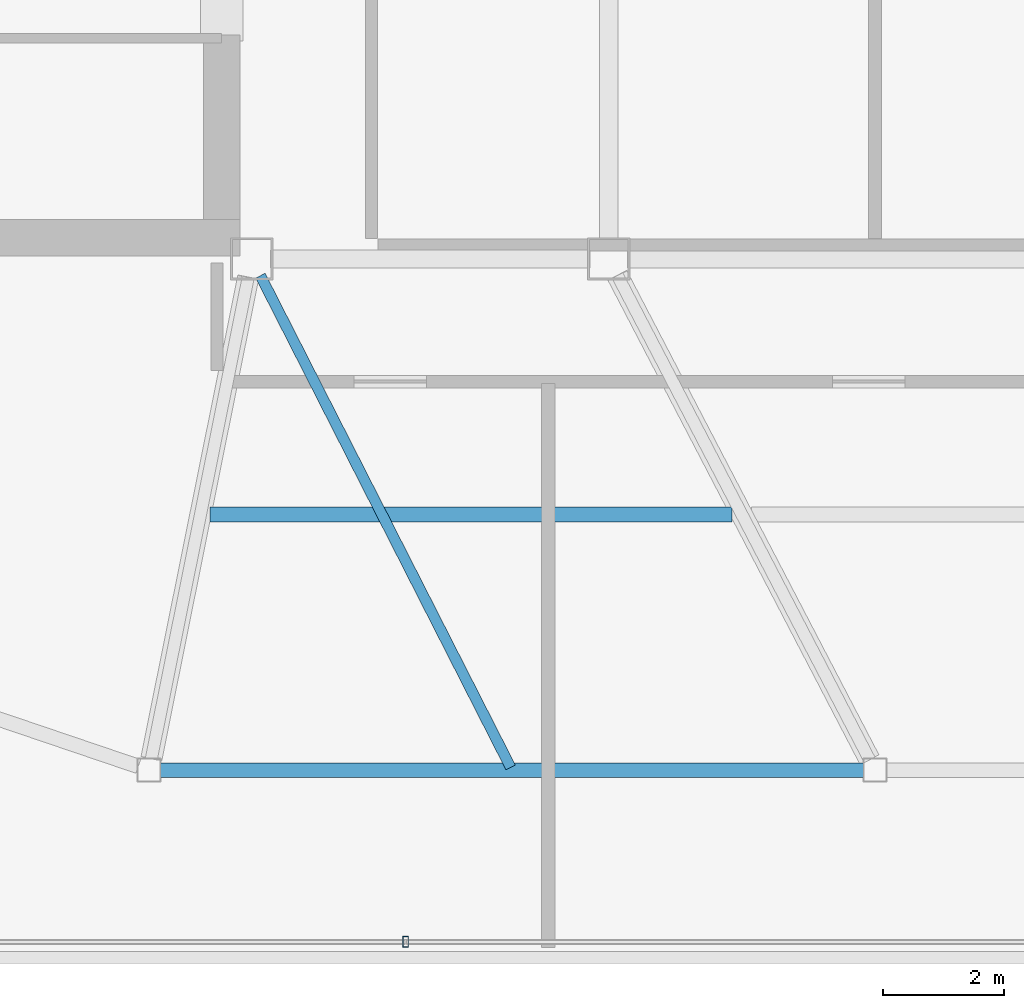
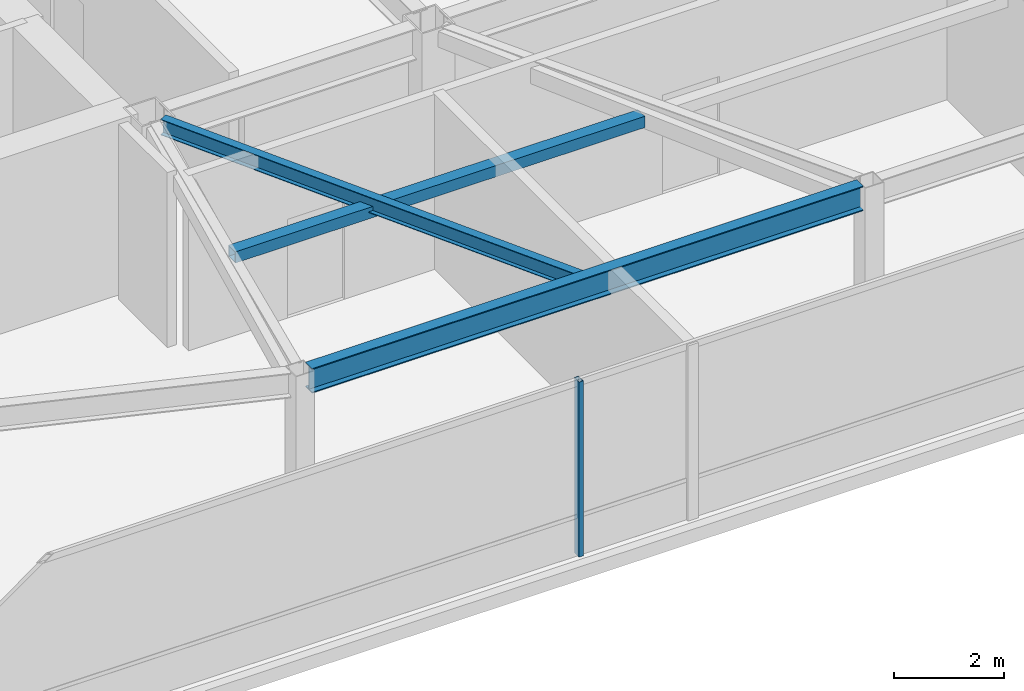
# One storey, part 4 of 21: 2 beams, 2 members, 1 element without a shape of its own.
"""IFC4 building model written with IfcOpenShell, lengths in metres."""

from ifc_helpers import new_model, si_unit, direction, frame, origin, origin_2d, place, context, subcontext, project, spatial, hollow_rectangle, i_section, extrude, material, layer, layer_set, material_profile, profile_set, type_object, element, aggregate, save


model = new_model("IFC4")

# Units and contexts
model_context = context("Model", 3, precision=1e-05, world=origin(), true_north=direction((0.0, 1.0)))
body_context = subcontext(model_context, "Body", "Model", "MODEL_VIEW")
ifc_project = project(units=[si_unit("LENGTHUNIT", "METRE"), si_unit("AREAUNIT", "SQUARE_METRE"), si_unit("VOLUMEUNIT", "CUBIC_METRE"), si_unit("PLANEANGLEUNIT", "RADIAN"), si_unit("MASSUNIT", "GRAM", prefix="KILO")], contexts=[model_context])

# Site, building, storey
site_placement = place(None, origin())
site = spatial("IfcSite", under=ifc_project, at=site_placement, CompositionType="ELEMENT")
building_placement = place(site_placement, origin())
building = spatial("IfcBuilding", under=site, at=building_placement, Name="Tavrogorsk Clinical Tower", CompositionType="ELEMENT")
storey_placement = place(building_placement, frame((0.0, 0.0, 348.60009765625)))
storey = spatial("IfcBuildingStorey", under=building, at=storey_placement, Name="L81", CompositionType="ELEMENT", Elevation=348.60009765625)

# Member
ifc_material_1 = material(Name="Structural steel S355", Category="steel")
ifc_material_profile_1 = material_profile(ifc_material_1, hollow_rectangle(XDim=0.25, YDim=0.25, WallThickness=0.012451171875, at=origin_2d()), Name="SHS-250x250x12.5")
ifc_profile_set_1 = profile_set([ifc_material_profile_1], Name="Structural steel S355")
member_type_1 = type_object("IfcMemberType", Name="CrownFacetPurlin_SHS250", PredefinedType="PURLIN", material=ifc_profile_set_1)
member_1_placement = place(storey_placement, frame((-10.989990234375, -10.574951171875, 3.52978515625), z_axis=(1.0, 0.0, 0.0), x_axis=(0.0, 1.0, 0.0)))
element("IfcMember", 1, at=member_1_placement, inside=storey, type_object=member_type_1, Name="L81 Crown Facet Purlin S-1", PredefinedType="PURLIN", context=body_context, shape_type="SweptSolid", body=[
    extrude(hollow_rectangle(XDim=0.25, YDim=0.25, WallThickness=0.012451171875, at=origin_2d()), origin(), (0.0, 0.0, 1.0), 8.6298828125),
])

# Curtain wall, member
ifc_material_2 = material(Name="Anodised aluminium and triple IGU glazing", Category="aluminium")
ifc_layer = layer(ifc_material_2, 0.179931640625)
ifc_layer_set = layer_set([ifc_layer], Name="Anodised aluminium and triple IGU glazing")
curtain_wall_type = type_object("IfcCurtainWallType", Name="CW5_SkyLobby", PredefinedType="NOTDEFINED", material=ifc_layer_set)
curtain_wall_placement = place(storey_placement, origin())
curtain_wall = element("IfcCurtainWall", 2, at=curtain_wall_placement, inside=storey, type_object=curtain_wall_type, Name="L81 Curtain Wall CW-L81-DRUM-8", PredefinedType="NOTDEFINED")
ifc_material_3 = material(Name="Anodised aluminium alloy AW-6060", Category="aluminium")
ifc_material_profile_2 = material_profile(ifc_material_3, hollow_rectangle(XDim=0.090087890625, YDim=0.179931640625, WallThickness=0.00634765625, at=origin_2d()), Name="RHS-180x90x6.3")
ifc_profile_set_2 = profile_set([ifc_material_profile_2], Name="Anodised aluminium alloy AW-6060")
member_type_2 = type_object("IfcMemberType", Name="CwMullion_180x90", PredefinedType="MULLION", material=ifc_profile_set_2)
member_2_placement = place(storey_placement, frame((-7.7578125, -17.639892578125, 0.0), z_axis=(0.0, 0.0, 1.0), x_axis=(-1.0, 0.0, 0.0)))
member_2 = element("IfcMember", 3, at=member_2_placement, type_object=member_type_2, Name="CW-L81-DRUM-8 Mullion 3", PredefinedType="MULLION", context=body_context, shape_type="SweptSolid", body=[
    extrude(hollow_rectangle(XDim=0.090087890625, YDim=0.179931640625, WallThickness=0.00634765625, at=origin_2d()), origin(), (0.0, 0.0, 1.0), 3.89990234375),
])
aggregate(curtain_wall, [member_2])

# Beams
ifc_material_4 = material(Name="Structural steel S355", Category="steel")
ifc_material_profile_3 = material_profile(ifc_material_4, i_section(OverallWidth=0.175048828125, OverallDepth=0.35009765625, WebThickness=0.009521484375, FlangeThickness=0.013916015625, at=origin_2d()), Name="B-350x175x9.5x14")
ifc_profile_set_3 = profile_set([ifc_material_profile_3], Name="Structural steel S355")
beam_type_1 = type_object("IfcBeamType", Name="SecondaryJoist_B350", PredefinedType="JOIST", material=ifc_profile_set_3)
beam_1_placement = place(storey_placement, frame((-10.159423828125, -6.626220703125, 3.724853515625), z_axis=(0.4535299827, -0.891241019474, 0.0), x_axis=(0.891241019474, 0.4535299827, 0.0)))
element("IfcBeam", 4, at=beam_1_placement, inside=storey, type_object=beam_type_1, Name="L81 Crown Secondary Joist 01", PredefinedType="JOIST", context=body_context, shape_type="SweptSolid", body=[
    extrude(i_section(OverallWidth=0.175048828125, OverallDepth=0.35009765625, WebThickness=0.009521484375, FlangeThickness=0.013916015625, at=origin_2d()), origin(), (0.0, 0.0, 1.0), 9.12109375),
])
ifc_material_5 = material(Name="Structural steel S390", Category="steel")
ifc_material_profile_4 = material_profile(ifc_material_5, i_section(OverallWidth=0.239990234375, OverallDepth=0.550048828125, WebThickness=0.013916015625, FlangeThickness=0.02197265625, at=origin_2d()), Name="B-550x240x14x22")
ifc_profile_set_4 = profile_set([ifc_material_profile_4], Name="Structural steel S390")
beam_type_2 = type_object("IfcBeamType", Name="SpandrelBeam_B550", PredefinedType="SPANDREL", material=ifc_profile_set_4)
beam_2_placement = place(storey_placement, frame((-11.81005859375, -14.800048828125, 3.625), z_axis=(1.0, 0.0, 0.0), x_axis=(0.0, 1.0, 0.0)))
element("IfcBeam", 5, at=beam_2_placement, inside=storey, type_object=beam_type_2, Name="L81 Crown Spandrel Beam 01", PredefinedType="SPANDREL", context=body_context, shape_type="SweptSolid", body=[
    extrude(i_section(OverallWidth=0.239990234375, OverallDepth=0.550048828125, WebThickness=0.013916015625, FlangeThickness=0.02197265625, at=origin_2d()), origin(), (0.0, 0.0, 1.0), 11.6201171875),
])

save(model, "model.ifc")
